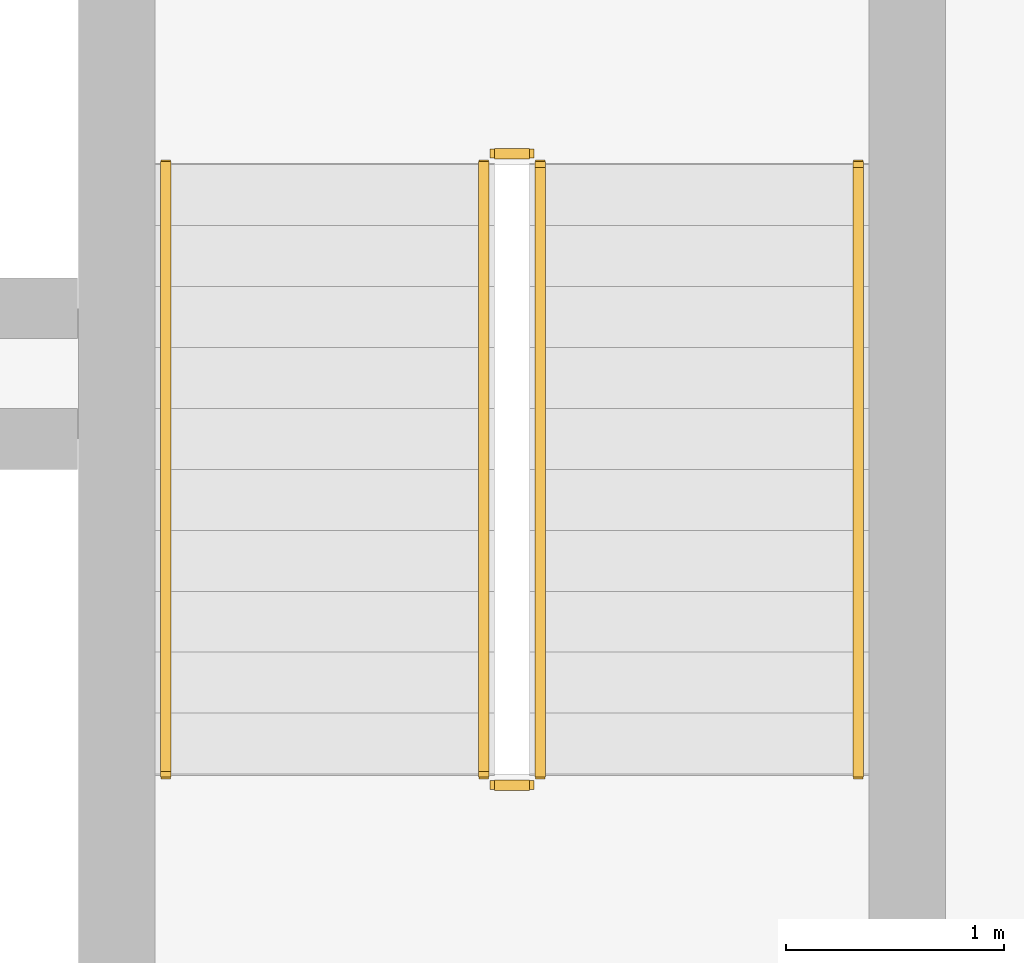
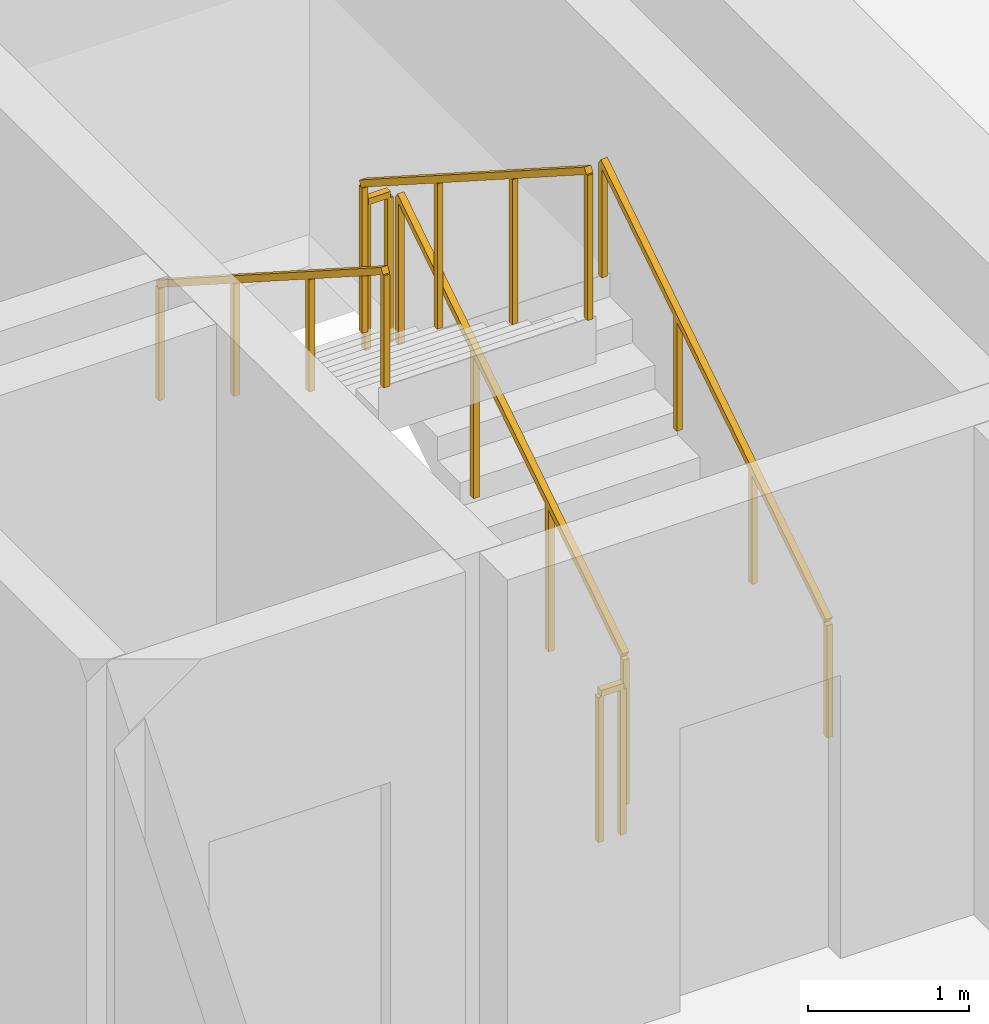
# One storey, part 11 of 11: 6 railings.
"""IFC4 building model written with IfcOpenShell, lengths in metres."""

from ifc_helpers import new_model, si_unit, direction, frame, origin, origin_2d, place, context, subcontext, project, spatial, rectangle, extrude, material, type_object, element, save


model = new_model("IFC4")

# Units and contexts
model_context = context("Model", 3, precision=1e-05, world=origin(), true_north=direction((0.0, 1.0)))
body_context = subcontext(model_context, "Body", "Model", "MODEL_VIEW")
ifc_project = project(units=[si_unit("LENGTHUNIT", "METRE"), si_unit("AREAUNIT", "SQUARE_METRE"), si_unit("VOLUMEUNIT", "CUBIC_METRE"), si_unit("PLANEANGLEUNIT", "RADIAN"), si_unit("MASSUNIT", "GRAM", prefix="KILO")], contexts=[model_context])

# Site, building, storey
site_placement = place(None, origin())
site = spatial("IfcSite", under=ifc_project, at=site_placement, CompositionType="ELEMENT")
building_placement = place(site_placement, origin())
building = spatial("IfcBuilding", under=site, at=building_placement, Name="Kaelvorn Grand Hotel", CompositionType="ELEMENT")
storey_placement = place(building_placement, frame((0.0, 0.0, 237.050048828125)))
storey = spatial("IfcBuildingStorey", under=building, at=storey_placement, Name="L58", CompositionType="ELEMENT", Elevation=237.050048828125)

# Railings
ifc_material = material(Name="Stainless Steel", Category="steel")
railing_type_1 = type_object("IfcRailingType", Name="RL-HANDRAIL-900", PredefinedType="HANDRAIL", material=ifc_material)
railing_1_placement = place(storey_placement, frame((66.550048828125, 41.760009765625, 0.179443359375)))
element("IfcRailing", 1, at=railing_1_placement, inside=storey, type_object=railing_type_1, Name="L58 ST3 stair handrail 1", PredefinedType="HANDRAIL", context=body_context, shape_type="SweptSolid", body=[
    extrude(rectangle(XDim=0.048095703125, YDim=0.048095703125, at=origin_2d()), frame((0.0, 0.0, 0.8759765625), z_axis=(0.0, 0.841809871826, 0.539774156196), x_axis=(-1.0, 0.0, 0.0)), (0.0, 0.0, 1.0), 3.326171875),
    extrude(rectangle(XDim=0.0419921875, YDim=0.0419921875, at=origin_2d()), origin(), (0.0, 0.0, 1.0), 0.851806640625),
    extrude(rectangle(XDim=0.0419921875, YDim=0.0419921875, at=origin_2d()), frame((0.0, 0.933349609375, 0.598388671875)), (0.0, 0.0, 1.0), 0.851806640625),
    extrude(rectangle(XDim=0.0419921875, YDim=0.0419921875, at=origin_2d()), frame((0.0, 1.86669921875, 1.197021484375)), (0.0, 0.0, 1.0), 0.851806640625),
    extrude(rectangle(XDim=0.0419921875, YDim=0.0419921875, at=origin_2d()), frame((0.0, 2.800048828125, 1.79541015625)), (0.0, 0.0, 1.0), 0.851806640625),
])
railing_2_placement = place(storey_placement, frame((63.3701171875, 44.56005859375, 2.154541015625)))
element("IfcRailing", 2, at=railing_2_placement, inside=storey, type_object=railing_type_1, Name="L58 ST3 stair handrail 2", PredefinedType="HANDRAIL", context=body_context, shape_type="SweptSolid", body=[
    extrude(rectangle(XDim=0.048095703125, YDim=0.048095703125, at=origin_2d()), frame((0.0, 0.0, 0.8759765625), z_axis=(0.0, -0.841809871826, 0.539774156196), x_axis=(1.0, 0.0, 0.0)), (0.0, 0.0, 1.0), 3.326171875),
    extrude(rectangle(XDim=0.0419921875, YDim=0.0419921875, at=origin_2d()), origin(), (0.0, 0.0, 1.0), 0.851806640625),
    extrude(rectangle(XDim=0.0419921875, YDim=0.0419921875, at=origin_2d()), frame((0.0, -0.933349609375, 0.598388671875)), (0.0, 0.0, 1.0), 0.851806640625),
    extrude(rectangle(XDim=0.0419921875, YDim=0.0419921875, at=origin_2d()), frame((0.0, -1.86669921875, 1.197021484375)), (0.0, 0.0, 1.0), 0.851806640625),
    extrude(rectangle(XDim=0.0419921875, YDim=0.0419921875, at=origin_2d()), frame((0.0, -2.800048828125, 1.79541015625)), (0.0, 0.0, 1.0), 0.851806640625),
])
railing_type_2 = type_object("IfcRailingType", Name="RL-STAIR-GUARD-1150", PredefinedType="BALUSTRADE", material=ifc_material)
railing_3_placement = place(storey_placement, frame((65.090087890625, 41.760009765625, 0.179443359375)))
element("IfcRailing", 3, at=railing_3_placement, inside=storey, type_object=railing_type_2, Name="L58 ST3 stair guard 1", PredefinedType="BALUSTRADE", context=body_context, shape_type="SweptSolid", body=[
    extrude(rectangle(XDim=0.048095703125, YDim=0.048095703125, at=origin_2d()), frame((0.0, 0.0, 1.1259765625), z_axis=(0.0, 0.841809871826, 0.539774156196), x_axis=(-1.0, 0.0, 0.0)), (0.0, 0.0, 1.0), 3.326171875),
    extrude(rectangle(XDim=0.0419921875, YDim=0.0419921875, at=origin_2d()), origin(), (0.0, 0.0, 1.0), 1.101806640625),
    extrude(rectangle(XDim=0.0419921875, YDim=0.0419921875, at=origin_2d()), frame((0.0, 0.933349609375, 0.598388671875)), (0.0, 0.0, 1.0), 1.101806640625),
    extrude(rectangle(XDim=0.0419921875, YDim=0.0419921875, at=origin_2d()), frame((0.0, 1.86669921875, 1.197021484375)), (0.0, 0.0, 1.0), 1.101806640625),
    extrude(rectangle(XDim=0.0419921875, YDim=0.0419921875, at=origin_2d()), frame((0.0, 2.800048828125, 1.79541015625)), (0.0, 0.0, 1.0), 1.101806640625),
])
railing_4_placement = place(storey_placement, frame((65.0400390625, 44.610107421875, 1.974853515625)))
element("IfcRailing", 4, at=railing_4_placement, inside=storey, type_object=railing_type_2, Name="L58 ST3 stair guard 2", PredefinedType="BALUSTRADE", context=body_context, shape_type="SweptSolid", body=[
    extrude(rectangle(XDim=0.048095703125, YDim=0.048095703125, at=origin_2d()), frame((0.0, 0.0, 1.1259765625), z_axis=(-1.0, 0.0, 0.0), x_axis=(0.0, -1.0, 0.0)), (0.0, 0.0, 1.0), 0.16015625),
    extrude(rectangle(XDim=0.0419921875, YDim=0.0419921875, at=origin_2d()), origin(), (0.0, 0.0, 1.0), 1.101806640625),
    extrude(rectangle(XDim=0.0419921875, YDim=0.0419921875, at=origin_2d()), frame((-0.16015625, 0.0, 0.0)), (0.0, 0.0, 1.0), 1.101806640625),
])
railing_5_placement = place(storey_placement, frame((64.830078125, 44.56005859375, 2.154541015625)))
element("IfcRailing", 5, at=railing_5_placement, inside=storey, type_object=railing_type_2, Name="L58 ST3 stair guard 3", PredefinedType="BALUSTRADE", context=body_context, shape_type="SweptSolid", body=[
    extrude(rectangle(XDim=0.048095703125, YDim=0.048095703125, at=origin_2d()), frame((0.0, 0.0, 1.1259765625), z_axis=(0.0, -0.841809871826, 0.539774156196), x_axis=(1.0, 0.0, 0.0)), (0.0, 0.0, 1.0), 3.326171875),
    extrude(rectangle(XDim=0.0419921875, YDim=0.0419921875, at=origin_2d()), origin(), (0.0, 0.0, 1.0), 1.101806640625),
    extrude(rectangle(XDim=0.0419921875, YDim=0.0419921875, at=origin_2d()), frame((0.0, -0.933349609375, 0.598388671875)), (0.0, 0.0, 1.0), 1.101806640625),
    extrude(rectangle(XDim=0.0419921875, YDim=0.0419921875, at=origin_2d()), frame((0.0, -1.86669921875, 1.197021484375)), (0.0, 0.0, 1.0), 1.101806640625),
    extrude(rectangle(XDim=0.0419921875, YDim=0.0419921875, at=origin_2d()), frame((0.0, -2.800048828125, 1.79541015625)), (0.0, 0.0, 1.0), 1.101806640625),
])
railing_6_placement = place(storey_placement, frame((65.0400390625, 41.7099609375, 0.0)))
element("IfcRailing", 6, at=railing_6_placement, inside=storey, type_object=railing_type_2, Name="L58 ST3 stair guard 4", PredefinedType="BALUSTRADE", context=body_context, shape_type="SweptSolid", body=[
    extrude(rectangle(XDim=0.048095703125, YDim=0.048095703125, at=origin_2d()), frame((0.0, 0.0, 1.1259765625), z_axis=(-1.0, 0.0, 0.0), x_axis=(0.0, -1.0, 0.0)), (0.0, 0.0, 1.0), 0.16015625),
    extrude(rectangle(XDim=0.0419921875, YDim=0.0419921875, at=origin_2d()), origin(), (0.0, 0.0, 1.0), 1.101806640625),
    extrude(rectangle(XDim=0.0419921875, YDim=0.0419921875, at=origin_2d()), frame((-0.16015625, 0.0, 0.0)), (0.0, 0.0, 1.0), 1.101806640625),
])

save(model, "model.ifc")
